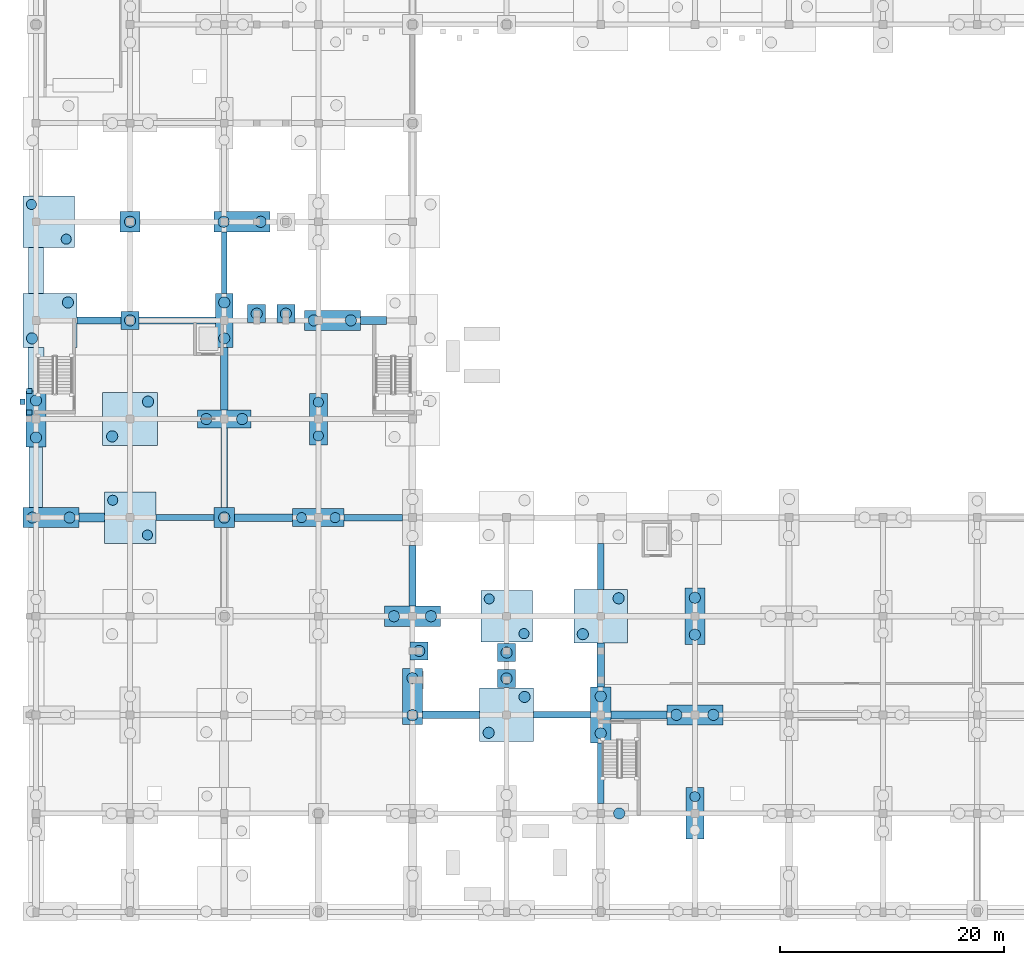
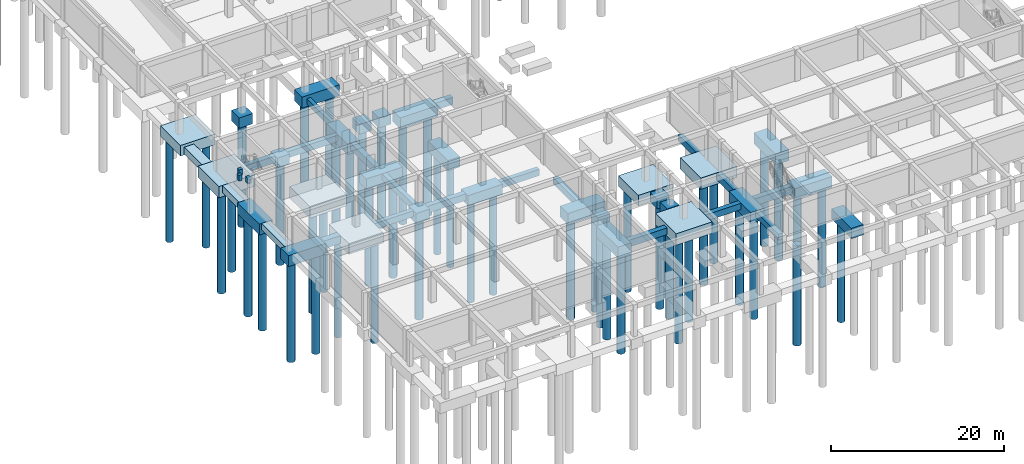
# One storey, part 2 of 41: 52 footings, 50 piles.
"""IFC4 building model written with IfcOpenShell, lengths in metres."""

from ifc_helpers import new_model, si_unit, direction, frame, origin, origin_2d, place, context, subcontext, project, spatial, rectangle, circle, extrude, material, material_profile, profile_set, type_object, element, save


model = new_model("IFC4")

# Units and contexts
model_context = context("Model", 3, precision=1e-05, world=origin(), true_north=direction((0.0, 1.0)))
body_context = subcontext(model_context, "Body", "Model", "MODEL_VIEW")
ifc_project = project(units=[si_unit("LENGTHUNIT", "METRE"), si_unit("AREAUNIT", "SQUARE_METRE"), si_unit("VOLUMEUNIT", "CUBIC_METRE"), si_unit("PLANEANGLEUNIT", "RADIAN"), si_unit("MASSUNIT", "GRAM", prefix="KILO")], contexts=[model_context])

# Site, building, storey
site_placement = place(None, origin())
site = spatial("IfcSite", under=ifc_project, at=site_placement, CompositionType="ELEMENT")
building_placement = place(site_placement, origin())
building = spatial("IfcBuilding", under=site, at=building_placement, Name="Kemercrest Conservatory and Botanical Centre", CompositionType="ELEMENT")
storey_placement = place(building_placement, frame((0.0, 0.0, -4.5)))
storey = spatial("IfcBuildingStorey", under=building, at=storey_placement, Name="B1", CompositionType="ELEMENT", Elevation=-4.5)

# Piles
ifc_material = material(Name="Concrete C40/50", Category="concrete")
ifc_material_profile_1 = material_profile(ifc_material, circle(Radius=0.5, at=origin_2d()), Name="BORED PILE 1000")
ifc_profile_set_1 = profile_set([ifc_material_profile_1], Name="Concrete C40/50")
pile_type_1 = type_object("IfcPileType", Name="BP-01", PredefinedType="BORED", material=ifc_profile_set_1)
for number, where, z_axis, x_axis, name in (
    (1, (7.699951171875, 43.199951171875, -1.860107421875), (0.0, 0.0, -1.0), (1.0, 0.0, 0.0), "Bored pile BP-01 #24"),
    (2, (11.0, 43.199951171875, -1.860107421875), (0.0, 0.0, -1.0), (1.0, 0.0, 0.0), "Bored pile BP-01 #25"),
    (3, (8.0, 50.35009765625, -1.860107421875), (0.0, 0.0, -1.0), (1.0, 0.0, 0.0), "Bored pile BP-01 #26"),
    (4, (8.0, 53.64990234375, -1.860107421875), (0.0, 0.0, -1.0), (1.0, 0.0, 0.0), "Bored pile BP-01 #27"),
):
    element("IfcPile", number, at=place(storey_placement, frame(where, z_axis=z_axis, x_axis=x_axis)), inside=storey, type_object=pile_type_1, Name=name, PredefinedType="BORED", context=body_context, shape_type="SweptSolid", body=[
        extrude(circle(Radius=0.5, at=origin_2d()), origin(), (0.0, 0.0, 1.0), 14.139892578125),
    ])
for number, where, z_axis, x_axis, name in (
    (5, (7.64990234375, 59.199951171875, -1.909912109375), (0.0, 0.0, -1.0), (1.0, 0.0, 0.0), "Bored pile BP-01 #28"),
    (6, (10.85009765625, 62.39990234375, -1.909912109375), (0.0, 0.0, -1.0), (1.0, 0.0, 0.0), "Bored pile BP-01 #29"),
):
    element("IfcPile", number, at=place(storey_placement, frame(where, z_axis=z_axis, x_axis=x_axis)), inside=storey, type_object=pile_type_1, Name=name, PredefinedType="BORED", context=body_context, shape_type="SweptSolid", body=[
        extrude(circle(Radius=0.5, at=origin_2d()), origin(), (0.0, 0.0, 1.0), 14.090087890625),
    ])
for number, where, z_axis, x_axis, name in (
    (7, (14.800048828125, 50.449951171875, -1.9599609375), (0.0, 0.0, -1.0), (1.0, 0.0, 0.0), "Bored pile BP-01 #52"),
    (8, (18.0, 53.550048828125, -1.9599609375), (0.0, 0.0, -1.0), (1.0, 0.0, 0.0), "Bored pile BP-01 #53"),
):
    element("IfcPile", number, at=place(storey_placement, frame(where, z_axis=z_axis, x_axis=x_axis)), inside=storey, type_object=pile_type_1, Name=name, PredefinedType="BORED", context=body_context, shape_type="SweptSolid", body=[
        extrude(circle(Radius=0.5, at=origin_2d()), origin(), (0.0, 0.0, 1.0), 14.0400390625),
    ])
pile_1_placement = place(storey_placement, frame((16.39990234375, 60.800048828125, -1.7099609375), z_axis=(0.0, 0.0, -1.0), x_axis=(1.0, 0.0, 0.0)))
element("IfcPile", 9, at=pile_1_placement, inside=storey, type_object=pile_type_1, Name="Bored pile BP-01 #54", PredefinedType="BORED", context=body_context, shape_type="SweptSolid", body=[
    extrude(circle(Radius=0.5, at=origin_2d()), origin(), (0.0, 0.0, 1.0), 14.2900390625),
])
pile_2_placement = place(storey_placement, frame((16.39990234375, 69.60009765625, -1.35009765625), z_axis=(0.0, 0.0, -1.0), x_axis=(1.0, 0.0, 0.0)))
element("IfcPile", 10, at=pile_2_placement, inside=storey, type_object=pile_type_1, Name="Bored pile BP-01 #55", PredefinedType="BORED", context=body_context, shape_type="SweptSolid", body=[
    extrude(circle(Radius=0.5, at=origin_2d()), origin(), (0.0, 0.0, 1.0), 14.64990234375),
])
pile_3_placement = place(storey_placement, frame((24.800048828125, 43.199951171875, -1.760009765625), z_axis=(0.0, 0.0, -1.0), x_axis=(1.0, 0.0, 0.0)))
element("IfcPile", 11, at=pile_3_placement, inside=storey, type_object=pile_type_1, Name="Bored pile BP-01 #75", PredefinedType="BORED", context=body_context, shape_type="SweptSolid", body=[
    extrude(circle(Radius=0.5, at=origin_2d()), origin(), (0.0, 0.0, 1.0), 14.239990234375),
])
for number, where, z_axis, x_axis, name in (
    (12, (23.199951171875, 52.0, -1.81005859375), (0.0, 0.0, -1.0), (1.0, 0.0, 0.0), "Bored pile BP-01 #76"),
    (13, (26.39990234375, 52.0, -1.81005859375), (0.0, 0.0, -1.0), (1.0, 0.0, 0.0), "Bored pile BP-01 #77"),
    (14, (24.800048828125, 59.199951171875, -1.81005859375), (0.0, 0.0, -1.0), (1.0, 0.0, 0.0), "Bored pile BP-01 #78"),
    (15, (24.800048828125, 62.39990234375, -1.81005859375), (0.0, 0.0, -1.0), (1.0, 0.0, 0.0), "Bored pile BP-01 #79"),
):
    element("IfcPile", number, at=place(storey_placement, frame(where, z_axis=z_axis, x_axis=x_axis)), inside=storey, type_object=pile_type_1, Name=name, PredefinedType="BORED", context=body_context, shape_type="SweptSolid", body=[
        extrude(circle(Radius=0.5, at=origin_2d()), origin(), (0.0, 0.0, 1.0), 14.18994140625),
    ])
for number, where, z_axis, x_axis, name in (
    (16, (24.75, 69.60009765625, -1.449951171875), (0.0, 0.0, -1.0), (1.0, 0.0, 0.0), "Bored pile BP-01 #80"),
    (17, (28.050048828125, 69.60009765625, -1.449951171875), (0.0, 0.0, -1.0), (1.0, 0.0, 0.0), "Bored pile BP-01 #81"),
):
    element("IfcPile", number, at=place(storey_placement, frame(where, z_axis=z_axis, x_axis=x_axis)), inside=storey, type_object=pile_type_1, Name=name, PredefinedType="BORED", context=body_context, shape_type="SweptSolid", body=[
        extrude(circle(Radius=0.5, at=origin_2d()), origin(), (0.0, 0.0, 1.0), 14.550048828125),
    ])
for number, where, z_axis, x_axis, name in (
    (18, (32.800048828125, 60.800048828125, -1.860107421875), (0.0, 0.0, -1.0), (1.0, 0.0, 0.0), "Bored pile BP-01 #104"),
    (19, (36.10009765625, 60.800048828125, -1.860107421875), (0.0, 0.0, -1.0), (1.0, 0.0, 0.0), "Bored pile BP-01 #105"),
    (20, (41.60009765625, 25.570068359375, -1.860107421875), (0.0, 0.0, -1.0), (1.0, 0.0, 0.0), "Bored pile BP-01 #122"),
    (21, (41.60009765625, 28.8701171875, -1.860107421875), (0.0, 0.0, -1.0), (1.0, 0.0, 0.0), "Bored pile BP-01 #123"),
    (22, (39.949951171875, 34.39990234375, -1.860107421875), (0.0, 0.0, -1.0), (1.0, 0.0, 0.0), "Bored pile BP-01 #124"),
    (23, (43.25, 34.39990234375, -1.860107421875), (0.0, 0.0, -1.0), (1.0, 0.0, 0.0), "Bored pile BP-01 #125"),
):
    element("IfcPile", number, at=place(storey_placement, frame(where, z_axis=z_axis, x_axis=x_axis)), inside=storey, type_object=pile_type_1, Name=name, PredefinedType="BORED", context=body_context, shape_type="SweptSolid", body=[
        extrude(circle(Radius=0.5, at=origin_2d()), origin(), (0.0, 0.0, 1.0), 14.139892578125),
    ])
for number, where, z_axis, x_axis, name in (
    (24, (48.39990234375, 24.0, -1.5), (0.0, 0.0, -1.0), (1.0, 0.0, 0.0), "Bored pile BP-01 #148"),
    (25, (51.60009765625, 27.199951171875, -1.5), (0.0, 0.0, -1.0), (1.0, 0.0, 0.0), "Bored pile BP-01 #149"),
):
    element("IfcPile", number, at=place(storey_placement, frame(where, z_axis=z_axis, x_axis=x_axis)), inside=storey, type_object=pile_type_1, Name=name, PredefinedType="BORED", context=body_context, shape_type="SweptSolid", body=[
        extrude(circle(Radius=0.5, at=origin_2d()), origin(), (0.0, 0.0, 1.0), 14.5),
    ])
for number, where, z_axis, x_axis, name in (
    (26, (60.050048828125, 16.800048828125, -1.860107421875), (0.0, 0.0, -1.0), (1.0, 0.0, 0.0), "Bored pile BP-01 #165"),
    (27, (58.39990234375, 23.949951171875, -1.860107421875), (0.0, 0.0, -1.0), (1.0, 0.0, 0.0), "Bored pile BP-01 #166"),
    (28, (58.39990234375, 27.25, -1.860107421875), (0.0, 0.0, -1.0), (1.0, 0.0, 0.0), "Bored pile BP-01 #167"),
):
    element("IfcPile", number, at=place(storey_placement, frame(where, z_axis=z_axis, x_axis=x_axis)), inside=storey, type_object=pile_type_1, Name=name, PredefinedType="BORED", context=body_context, shape_type="SweptSolid", body=[
        extrude(circle(Radius=0.5, at=origin_2d()), origin(), (0.0, 0.0, 1.0), 14.139892578125),
    ])
for number, where, z_axis, x_axis, name in (
    (29, (56.800048828125, 32.800048828125, -1.909912109375), (0.0, 0.0, -1.0), (1.0, 0.0, 0.0), "Bored pile BP-01 #168"),
    (30, (60.0, 36.0, -1.909912109375), (0.0, 0.0, -1.0), (1.0, 0.0, 0.0), "Bored pile BP-01 #169"),
):
    element("IfcPile", number, at=place(storey_placement, frame(where, z_axis=z_axis, x_axis=x_axis)), inside=storey, type_object=pile_type_1, Name=name, PredefinedType="BORED", context=body_context, shape_type="SweptSolid", body=[
        extrude(circle(Radius=0.5, at=origin_2d()), origin(), (0.0, 0.0, 1.0), 14.090087890625),
    ])
for number, where, z_axis, x_axis, name in (
    (31, (65.14990234375, 25.60009765625, -1.860107421875), (0.0, 0.0, -1.0), (1.0, 0.0, 0.0), "Bored pile BP-01 #184"),
    (32, (68.449951171875, 25.60009765625, -1.860107421875), (0.0, 0.0, -1.0), (1.0, 0.0, 0.0), "Bored pile BP-01 #185"),
    (33, (66.800048828125, 32.75, -1.860107421875), (0.0, 0.0, -1.0), (1.0, 0.0, 0.0), "Bored pile BP-01 #186"),
    (34, (66.800048828125, 36.050048828125, -1.860107421875), (0.0, 0.0, -1.0), (1.0, 0.0, 0.0), "Bored pile BP-01 #187"),
):
    element("IfcPile", number, at=place(storey_placement, frame(where, z_axis=z_axis, x_axis=x_axis)), inside=storey, type_object=pile_type_1, Name=name, PredefinedType="BORED", context=body_context, shape_type="SweptSolid", body=[
        extrude(circle(Radius=0.5, at=origin_2d()), origin(), (0.0, 0.0, 1.0), 14.139892578125),
    ])
for number, where, z_axis, x_axis, name in (
    (35, (42.199951171875, 31.300048828125, -1.300048828125), (0.0, 0.0, -1.0), (1.0, 0.0, 0.0), "Bored pile BP-01 #538"),
    (36, (50.0, 28.85009765625, -1.300048828125), (0.0, 0.0, -1.0), (1.0, 0.0, 0.0), "Bored pile BP-01 #539"),
    (37, (50.0, 31.14990234375, -1.300048828125), (0.0, 0.0, -1.0), (1.0, 0.0, 0.0), "Bored pile BP-01 #540"),
    (38, (27.699951171875, 61.39990234375, -1.300048828125), (0.0, 0.0, -1.0), (1.0, 0.0, 0.0), "Bored pile BP-01 #541"),
    (39, (30.300048828125, 61.39990234375, -1.300048828125), (0.0, 0.0, -1.0), (1.0, 0.0, 0.0), "Bored pile BP-01 #542"),
):
    element("IfcPile", number, at=place(storey_placement, frame(where, z_axis=z_axis, x_axis=x_axis)), inside=storey, type_object=pile_type_1, Name=name, PredefinedType="BORED", context=body_context, shape_type="SweptSolid", body=[
        extrude(circle(Radius=0.5, at=origin_2d()), origin(), (0.0, 0.0, 1.0), 14.699951171875),
    ])
ifc_material_profile_2 = material_profile(ifc_material, circle(Radius=0.449951171875, at=origin_2d()), Name="BORED PILE 900")
ifc_profile_set_2 = profile_set([ifc_material_profile_2], Name="Concrete C40/50")
pile_type_2 = type_object("IfcPileType", Name="BP-02", PredefinedType="BORED", material=ifc_profile_set_2)
for number, where, z_axis, x_axis, name in (
    (40, (7.60009765625, 71.14990234375, -1.39990234375), (0.0, 0.0, -1.0), (1.0, 0.0, 0.0), "Bored pile BP-02 #30"),
    (41, (10.699951171875, 68.050048828125, -1.39990234375), (0.0, 0.0, -1.0), (1.0, 0.0, 0.0), "Bored pile BP-02 #31"),
):
    element("IfcPile", number, at=place(storey_placement, frame(where, z_axis=z_axis, x_axis=x_axis)), inside=storey, type_object=pile_type_2, Name=name, PredefinedType="BORED", context=body_context, shape_type="SweptSolid", body=[
        extrude(circle(Radius=0.449951171875, at=origin_2d()), origin(), (0.0, 0.0, 1.0), 14.60009765625),
    ])
for number, where, z_axis, x_axis, name in (
    (42, (14.85009765625, 44.75, -1.81005859375), (0.0, 0.0, -1.0), (1.0, 0.0, 0.0), "Bored pile BP-02 #50"),
    (43, (17.949951171875, 41.64990234375, -1.81005859375), (0.0, 0.0, -1.0), (1.0, 0.0, 0.0), "Bored pile BP-02 #51"),
):
    element("IfcPile", number, at=place(storey_placement, frame(where, z_axis=z_axis, x_axis=x_axis)), inside=storey, type_object=pile_type_2, Name=name, PredefinedType="BORED", context=body_context, shape_type="SweptSolid", body=[
        extrude(circle(Radius=0.449951171875, at=origin_2d()), origin(), (0.0, 0.0, 1.0), 14.18994140625),
    ])
for number, where, z_axis, x_axis, name in (
    (44, (31.699951171875, 43.199951171875, -1.760009765625), (0.0, 0.0, -1.0), (1.0, 0.0, 0.0), "Bored pile BP-02 #100"),
    (45, (34.699951171875, 43.199951171875, -1.760009765625), (0.0, 0.0, -1.0), (1.0, 0.0, 0.0), "Bored pile BP-02 #101"),
    (46, (33.199951171875, 50.5, -1.760009765625), (0.0, 0.0, -1.0), (1.0, 0.0, 0.0), "Bored pile BP-02 #102"),
    (47, (33.199951171875, 53.5, -1.760009765625), (0.0, 0.0, -1.0), (1.0, 0.0, 0.0), "Bored pile BP-02 #103"),
):
    element("IfcPile", number, at=place(storey_placement, frame(where, z_axis=z_axis, x_axis=x_axis)), inside=storey, type_object=pile_type_2, Name=name, PredefinedType="BORED", context=body_context, shape_type="SweptSolid", body=[
        extrude(circle(Radius=0.449951171875, at=origin_2d()), origin(), (0.0, 0.0, 1.0), 14.239990234375),
    ])
for number, where, z_axis, x_axis, name in (
    (48, (48.449951171875, 35.949951171875, -1.39990234375), (0.0, 0.0, -1.0), (1.0, 0.0, 0.0), "Bored pile BP-02 #150"),
    (49, (51.550048828125, 32.85009765625, -1.39990234375), (0.0, 0.0, -1.0), (1.0, 0.0, 0.0), "Bored pile BP-02 #151"),
):
    element("IfcPile", number, at=place(storey_placement, frame(where, z_axis=z_axis, x_axis=x_axis)), inside=storey, type_object=pile_type_2, Name=name, PredefinedType="BORED", context=body_context, shape_type="SweptSolid", body=[
        extrude(circle(Radius=0.449951171875, at=origin_2d()), origin(), (0.0, 0.0, 1.0), 14.60009765625),
    ])
pile_4_placement = place(storey_placement, frame((66.800048828125, 18.300048828125, -1.760009765625), z_axis=(0.0, 0.0, -1.0), x_axis=(1.0, 0.0, 0.0)))
element("IfcPile", 50, at=pile_4_placement, inside=storey, type_object=pile_type_2, Name="Bored pile BP-02 #183", PredefinedType="BORED", context=body_context, shape_type="SweptSolid", body=[
    extrude(circle(Radius=0.449951171875, at=origin_2d()), origin(), (0.0, 0.0, 1.0), 14.239990234375),
])

# Footings
footing_type_1 = type_object("IfcFootingType", Name="FB-01", PredefinedType="FOOTING_BEAM", material=ifc_material)
footing_1_placement = place(storey_placement, frame((54.949951171875, 25.60009765625, -1.31005859375), z_axis=(0.0, 0.0, 1.0), x_axis=(1.0, 0.0, 0.0)))
element("IfcFooting", 51, at=footing_1_placement, inside=storey, type_object=footing_type_1, Name="Seismic tie footing beam FB-01", PredefinedType="FOOTING_BEAM", context=body_context, shape_type="SweptSolid", body=[
    extrude(rectangle(XDim=5.10009765625, YDim=0.60009765625, at=origin_2d()), origin(), (0.0, 0.0, 1.0), 0.89990234375),
])
footing_2_placement = place(storey_placement, frame((38.10009765625, 43.199951171875, -1.31005859375), z_axis=(0.0, 0.0, 1.0), x_axis=(1.0, 0.0, 0.0)))
element("IfcFooting", 52, at=footing_2_placement, inside=storey, type_object=footing_type_1, Name="Seismic tie footing beam FB-01", PredefinedType="FOOTING_BEAM", context=body_context, shape_type="SweptSolid", body=[
    extrude(rectangle(XDim=5.199951171875, YDim=0.60009765625, at=origin_2d()), origin(), (0.0, 0.0, 1.0), 0.89990234375),
])
footing_3_placement = place(storey_placement, frame((20.60009765625, 60.800048828125, -1.31005859375), z_axis=(0.0, 0.0, 1.0), x_axis=(1.0, 0.0, 0.0)))
element("IfcFooting", 53, at=footing_3_placement, inside=storey, type_object=footing_type_1, Name="Seismic tie footing beam FB-01", PredefinedType="FOOTING_BEAM", context=body_context, shape_type="SweptSolid", body=[
    extrude(rectangle(XDim=6.800048828125, YDim=0.60009765625, at=origin_2d()), origin(), (0.0, 0.0, 1.0), 0.89990234375),
])
footing_4_placement = place(storey_placement, frame((24.800048828125, 47.64990234375, -1.31005859375), z_axis=(0.0, 0.0, 1.0), x_axis=(1.0, 0.0, 0.0)))
element("IfcFooting", 54, at=footing_4_placement, inside=storey, type_object=footing_type_1, Name="Seismic tie footing beam FB-01", PredefinedType="FOOTING_BEAM", context=body_context, shape_type="SweptSolid", body=[
    extrude(rectangle(XDim=0.60009765625, YDim=7.10009765625, at=origin_2d()), origin(), (0.0, 0.0, 1.0), 0.89990234375),
])
footing_5_placement = place(storey_placement, frame((58.39990234375, 38.85009765625, -1.31005859375), z_axis=(0.0, 0.0, 1.0), x_axis=(1.0, 0.0, 0.0)))
element("IfcFooting", 55, at=footing_5_placement, inside=storey, type_object=footing_type_1, Name="Seismic tie footing beam FB-01", PredefinedType="FOOTING_BEAM", context=body_context, shape_type="SweptSolid", body=[
    extrude(rectangle(XDim=0.60009765625, YDim=4.10009765625, at=origin_2d()), origin(), (0.0, 0.0, 1.0), 0.89990234375),
])
footing_type_2 = type_object("IfcFootingType", Name="FB-02", PredefinedType="FOOTING_BEAM", material=ifc_material)
footing_6_placement = place(storey_placement, frame((61.800048828125, 25.60009765625, -1.409912109375), z_axis=(0.0, 0.0, 1.0), x_axis=(1.0, 0.0, 0.0)))
element("IfcFooting", 56, at=footing_6_placement, inside=storey, type_object=footing_type_2, Name="Seismic tie footing beam FB-02", PredefinedType="FOOTING_BEAM", context=body_context, shape_type="SweptSolid", body=[
    extrude(rectangle(XDim=5.0, YDim=0.699951171875, at=origin_2d()), origin(), (0.0, 0.0, 1.0), 1.0),
])
footing_7_placement = place(storey_placement, frame((38.125, 60.800048828125, -1.409912109375), z_axis=(0.0, 0.0, 1.0), x_axis=(1.0, 0.0, 0.0)))
element("IfcFooting", 57, at=footing_7_placement, inside=storey, type_object=footing_type_2, Name="Seismic tie footing beam FB-02", PredefinedType="FOOTING_BEAM", context=body_context, shape_type="SweptSolid", body=[
    extrude(rectangle(XDim=2.35009765625, YDim=0.699951171875, at=origin_2d()), origin(), (0.0, 0.0, 1.0), 1.0),
])
footing_8_placement = place(storey_placement, frame((24.800048828125, 55.60009765625, -1.409912109375), z_axis=(0.0, 0.0, 1.0), x_axis=(1.0, 0.0, 0.0)))
element("IfcFooting", 58, at=footing_8_placement, inside=storey, type_object=footing_type_2, Name="Seismic tie footing beam FB-02", PredefinedType="FOOTING_BEAM", context=body_context, shape_type="SweptSolid", body=[
    extrude(rectangle(XDim=0.699951171875, YDim=5.60009765625, at=origin_2d()), origin(), (0.0, 0.0, 1.0), 1.0),
])
footing_type_3 = type_object("IfcFootingType", Name="FB-03", PredefinedType="FOOTING_BEAM", material=ifc_material)
footing_9_placement = place(storey_placement, frame((24.800048828125, 65.949951171875, -1.2099609375), z_axis=(0.0, 0.0, 1.0), x_axis=(1.0, 0.0, 0.0)))
element("IfcFooting", 59, at=footing_9_placement, inside=storey, type_object=footing_type_3, Name="Seismic tie footing beam FB-03", PredefinedType="FOOTING_BEAM", context=body_context, shape_type="SweptSolid", body=[
    extrude(rectangle(XDim=0.5, YDim=5.5, at=origin_2d()), origin(), (0.0, 0.0, 1.0), 0.800048828125),
])
footing_type_4 = type_object("IfcFootingType", Name="FB-04", PredefinedType="FOOTING_BEAM", material=ifc_material)
footing_10_placement = place(storey_placement, frame((12.97509765625, 43.199951171875, -1.510009765625), z_axis=(0.0, 0.0, 1.0), x_axis=(1.0, 0.0, 0.0)))
element("IfcFooting", 60, at=footing_10_placement, inside=storey, type_object=footing_type_4, Name="Seismic tie footing beam FB-04", PredefinedType="FOOTING_BEAM", context=body_context, shape_type="SweptSolid", body=[
    extrude(rectangle(XDim=2.25, YDim=0.800048828125, at=origin_2d()), origin(), (0.0, 0.0, 1.0), 1.10009765625),
])
footing_type_5 = type_object("IfcFootingType", Name="FB-05", PredefinedType="FOOTING_BEAM", material=ifc_material)
footing_11_placement = place(storey_placement, frame((21.300048828125, 43.199951171875, -1.260009765625), z_axis=(0.0, 0.0, 1.0), x_axis=(1.0, 0.0, 0.0)))
element("IfcFooting", 61, at=footing_11_placement, inside=storey, type_object=footing_type_5, Name="Seismic tie footing beam FB-05", PredefinedType="FOOTING_BEAM", context=body_context, shape_type="SweptSolid", body=[
    extrude(rectangle(XDim=5.199951171875, YDim=0.550048828125, at=origin_2d()), origin(), (0.0, 0.0, 1.0), 0.85009765625),
])
footing_12_placement = place(storey_placement, frame((58.39990234375, 20.39990234375, -1.260009765625), z_axis=(0.0, 0.0, 1.0), x_axis=(1.0, 0.0, 0.0)))
element("IfcFooting", 62, at=footing_12_placement, inside=storey, type_object=footing_type_5, Name="Seismic tie footing beam FB-05", PredefinedType="FOOTING_BEAM", context=body_context, shape_type="SweptSolid", body=[
    extrude(rectangle(XDim=0.550048828125, YDim=5.39990234375, at=origin_2d()), origin(), (0.0, 0.0, 1.0), 0.85009765625),
])
footing_type_6 = type_object("IfcFootingType", Name="FB-06", PredefinedType="FOOTING_BEAM", material=ifc_material)
footing_13_placement = place(storey_placement, frame((45.050048828125, 25.60009765625, -1.35986328125), z_axis=(0.0, 0.0, 1.0), x_axis=(1.0, 0.0, 0.0)))
element("IfcFooting", 63, at=footing_13_placement, inside=storey, type_object=footing_type_6, Name="Seismic tie footing beam FB-06", PredefinedType="FOOTING_BEAM", context=body_context, shape_type="SweptSolid", body=[
    extrude(rectangle(XDim=5.10009765625, YDim=0.64990234375, at=origin_2d()), origin(), (0.0, 0.0, 1.0), 0.949951171875),
])
footing_14_placement = place(storey_placement, frame((28.300048828125, 43.199951171875, -1.35986328125), z_axis=(0.0, 0.0, 1.0), x_axis=(1.0, 0.0, 0.0)))
element("IfcFooting", 64, at=footing_14_placement, inside=storey, type_object=footing_type_6, Name="Seismic tie footing beam FB-06", PredefinedType="FOOTING_BEAM", context=body_context, shape_type="SweptSolid", body=[
    extrude(rectangle(XDim=5.199951171875, YDim=0.64990234375, at=origin_2d()), origin(), (0.0, 0.0, 1.0), 0.949951171875),
])
footing_15_placement = place(storey_placement, frame((13.625, 60.800048828125, -1.35986328125), z_axis=(0.0, 0.0, 1.0), x_axis=(1.0, 0.0, 0.0)))
element("IfcFooting", 65, at=footing_15_placement, inside=storey, type_object=footing_type_6, Name="Seismic tie footing beam FB-06", PredefinedType="FOOTING_BEAM", context=body_context, shape_type="SweptSolid", body=[
    extrude(rectangle(XDim=3.949951171875, YDim=0.64990234375, at=origin_2d()), origin(), (0.0, 0.0, 1.0), 0.949951171875),
])
footing_16_placement = place(storey_placement, frame((41.60009765625, 38.0, -1.35986328125), z_axis=(0.0, 0.0, 1.0), x_axis=(1.0, 0.0, 0.0)))
element("IfcFooting", 66, at=footing_16_placement, inside=storey, type_object=footing_type_6, Name="Seismic tie footing beam FB-06", PredefinedType="FOOTING_BEAM", context=body_context, shape_type="SweptSolid", body=[
    extrude(rectangle(XDim=0.64990234375, YDim=5.39990234375, at=origin_2d()), origin(), (0.0, 0.0, 1.0), 0.949951171875),
])
footing_17_placement = place(storey_placement, frame((58.39990234375, 30.050048828125, -1.35986328125), z_axis=(0.0, 0.0, 1.0), x_axis=(1.0, 0.0, 0.0)))
element("IfcFooting", 67, at=footing_17_placement, inside=storey, type_object=footing_type_6, Name="Seismic tie footing beam FB-06", PredefinedType="FOOTING_BEAM", context=body_context, shape_type="SweptSolid", body=[
    extrude(rectangle(XDim=0.64990234375, YDim=3.89990234375, at=origin_2d()), origin(), (0.0, 0.0, 1.0), 0.949951171875),
])
footing_type_7 = type_object("IfcFootingType", Name="PC-01", PredefinedType="PILE_CAP", material=ifc_material)
for number, where, z_axis, x_axis, name in (
    (68, (16.39990234375, 60.800048828125, -1.81005859375), (0.0, 0.0, 1.0), (1.0, 0.0, 0.0), "Pile cap PC-01 at (16.4, 60.8)"),
    (69, (42.199951171875, 31.300048828125, -1.39990234375), (0.0, 0.0, 1.0), (1.0, 0.0, 0.0), "Pile cap PC-01 at (42.2, 31.3)"),
    (70, (50.0, 28.85009765625, -1.39990234375), (0.0, 0.0, 1.0), (1.0, 0.0, 0.0), "Pile cap PC-01 at (50.0, 28.9)"),
    (71, (50.0, 31.14990234375, -1.39990234375), (0.0, 0.0, 1.0), (1.0, 0.0, 0.0), "Pile cap PC-01 at (50.0, 31.1)"),
    (72, (27.699951171875, 61.39990234375, -1.39990234375), (0.0, 0.0, 1.0), (1.0, 0.0, 0.0), "Pile cap PC-01 at (27.7, 61.4)"),
    (73, (30.300048828125, 61.39990234375, -1.39990234375), (0.0, 0.0, 1.0), (1.0, 0.0, 0.0), "Pile cap PC-01 at (30.3, 61.4)"),
):
    element("IfcFooting", number, at=place(storey_placement, frame(where, z_axis=z_axis, x_axis=x_axis)), inside=storey, type_object=footing_type_7, Name=name, PredefinedType="PILE_CAP", context=body_context, shape_type="SweptSolid", body=[
        extrude(rectangle(XDim=1.60009765625, YDim=1.60009765625, at=origin_2d()), origin(), (0.0, 0.0, 1.0), 1.39990234375),
    ])
footing_type_8 = type_object("IfcFootingType", Name="PC-02", PredefinedType="PILE_CAP", material=ifc_material)
footing_18_placement = place(storey_placement, frame((24.800048828125, 52.0, -1.909912109375), z_axis=(0.0, 0.0, 1.0), x_axis=(1.0, 0.0, 0.0)))
element("IfcFooting", 74, at=footing_18_placement, inside=storey, type_object=footing_type_8, Name="Pile cap PC-02 at (24.8, 52.0)", PredefinedType="PILE_CAP", context=body_context, shape_type="SweptSolid", body=[
    extrude(rectangle(XDim=4.800048828125, YDim=1.60009765625, at=origin_2d()), origin(), (0.0, 0.0, 1.0), 1.5),
])
footing_type_9 = type_object("IfcFootingType", Name="PC-03", PredefinedType="PILE_CAP", material=ifc_material)
footing_19_placement = place(storey_placement, frame((24.800048828125, 60.800048828125, -1.909912109375), z_axis=(0.0, 0.0, 1.0), x_axis=(1.0, 0.0, 0.0)))
element("IfcFooting", 75, at=footing_19_placement, inside=storey, type_object=footing_type_9, Name="Pile cap PC-03 at (24.8, 60.8)", PredefinedType="PILE_CAP", context=body_context, shape_type="SweptSolid", body=[
    extrude(rectangle(XDim=1.60009765625, YDim=4.800048828125, at=origin_2d()), origin(), (0.0, 0.0, 1.0), 1.5),
])
footing_type_10 = type_object("IfcFootingType", Name="PC-04", PredefinedType="PILE_CAP", material=ifc_material)
for number, where, z_axis, x_axis, name in (
    (76, (9.25, 60.800048828125, -2.010009765625), (0.0, 0.0, 1.0), (1.0, 0.0, 0.0), "Pile cap PC-04 at (9.2, 60.8)"),
    (77, (50.0, 25.60009765625, -1.60009765625), (0.0, 0.0, 1.0), (1.0, 0.0, 0.0), "Pile cap PC-04 at (50.0, 25.6)"),
    (78, (58.39990234375, 34.39990234375, -2.010009765625), (0.0, 0.0, 1.0), (1.0, 0.0, 0.0), "Pile cap PC-04 at (58.4, 34.4)"),
):
    element("IfcFooting", number, at=place(storey_placement, frame(where, z_axis=z_axis, x_axis=x_axis)), inside=storey, type_object=footing_type_10, Name=name, PredefinedType="PILE_CAP", context=body_context, shape_type="SweptSolid", body=[
        extrude(rectangle(XDim=4.800048828125, YDim=4.800048828125, at=origin_2d()), origin(), (0.0, 0.0, 1.0), 1.60009765625),
    ])
footing_type_11 = type_object("IfcFootingType", Name="PC-05", PredefinedType="PILE_CAP", material=ifc_material)
for number, where, z_axis, x_axis, name in (
    (79, (9.14990234375, 69.60009765625, -1.5), (0.0, 0.0, 1.0), (1.0, 0.0, 0.0), "Pile cap PC-05 at (9.2, 69.6)"),
    (80, (16.39990234375, 43.199951171875, -1.909912109375), (0.0, 0.0, 1.0), (1.0, 0.0, 0.0), "Pile cap PC-05 at (16.4, 43.2)"),
    (81, (50.0, 34.39990234375, -1.5), (0.0, 0.0, 1.0), (1.0, 0.0, 0.0), "Pile cap PC-05 at (50.0, 34.4)"),
):
    element("IfcFooting", number, at=place(storey_placement, frame(where, z_axis=z_axis, x_axis=x_axis)), inside=storey, type_object=footing_type_11, Name=name, PredefinedType="PILE_CAP", context=body_context, shape_type="SweptSolid", body=[
        extrude(rectangle(XDim=4.60009765625, YDim=4.60009765625, at=origin_2d()), origin(), (0.0, 0.0, 1.0), 1.5),
    ])
footing_type_12 = type_object("IfcFootingType", Name="PC-08", PredefinedType="PILE_CAP", material=ifc_material)
footing_20_placement = place(storey_placement, frame((33.199951171875, 43.199951171875, -1.85986328125), z_axis=(0.0, 0.0, 1.0), x_axis=(1.0, 0.0, 0.0)))
element("IfcFooting", 82, at=footing_20_placement, inside=storey, type_object=footing_type_12, Name="Pile cap PC-08 at (33.2, 43.2)", PredefinedType="PILE_CAP", context=body_context, shape_type="SweptSolid", body=[
    extrude(rectangle(XDim=4.60009765625, YDim=1.60009765625, at=origin_2d()), origin(), (0.0, 0.0, 1.0), 1.449951171875),
])
footing_type_13 = type_object("IfcFootingType", Name="PC-09", PredefinedType="PILE_CAP", material=ifc_material)
for number, where, z_axis, x_axis, name in (
    (83, (33.199951171875, 52.0, -1.85986328125), (0.0, 0.0, 1.0), (1.0, 0.0, 0.0), "Pile cap PC-09 at (33.2, 52.0)"),
    (84, (66.800048828125, 16.800048828125, -1.85986328125), (0.0, 0.0, 1.0), (1.0, 0.0, 0.0), "Pile cap PC-09 at (66.8, 16.8)"),
):
    element("IfcFooting", number, at=place(storey_placement, frame(where, z_axis=z_axis, x_axis=x_axis)), inside=storey, type_object=footing_type_13, Name=name, PredefinedType="PILE_CAP", context=body_context, shape_type="SweptSolid", body=[
        extrude(rectangle(XDim=1.60009765625, YDim=4.60009765625, at=origin_2d()), origin(), (0.0, 0.0, 1.0), 1.449951171875),
    ])
footing_type_14 = type_object("IfcFootingType", Name="PC-12", PredefinedType="PILE_CAP", material=ifc_material)
for number, where, z_axis, x_axis, name in (
    (85, (16.39990234375, 69.60009765625, -1.4501953125), (0.0, 0.0, 1.0), (1.0, 0.0, 0.0), "Pile cap PC-12 at (16.4, 69.6)"),
    (86, (24.800048828125, 43.199951171875, -1.85986328125), (0.0, 0.0, 1.0), (1.0, 0.0, 0.0), "Pile cap PC-12 at (24.8, 43.2)"),
):
    element("IfcFooting", number, at=place(storey_placement, frame(where, z_axis=z_axis, x_axis=x_axis)), inside=storey, type_object=footing_type_14, Name=name, PredefinedType="PILE_CAP", context=body_context, shape_type="SweptSolid", body=[
        extrude(rectangle(XDim=1.800048828125, YDim=1.800048828125, at=origin_2d()), origin(), (0.0, 0.0, 1.0), 1.449951171875),
    ])
footing_type_15 = type_object("IfcFootingType", Name="PC-13", PredefinedType="PILE_CAP", material=ifc_material)
for number, where, z_axis, x_axis, name in (
    (87, (9.35009765625, 43.199951171875, -1.9599609375), (0.0, 0.0, 1.0), (1.0, 0.0, 0.0), "Pile cap PC-13 at (9.3, 43.2)"),
    (88, (26.39990234375, 69.60009765625, -1.5498046875), (0.0, 0.0, 1.0), (1.0, 0.0, 0.0), "Pile cap PC-13 at (26.4, 69.6)"),
    (89, (34.449951171875, 60.800048828125, -1.9599609375), (0.0, 0.0, 1.0), (1.0, 0.0, 0.0), "Pile cap PC-13 at (34.5, 60.8)"),
    (90, (41.60009765625, 34.39990234375, -1.9599609375), (0.0, 0.0, 1.0), (1.0, 0.0, 0.0), "Pile cap PC-13 at (41.6, 34.4)"),
    (91, (66.800048828125, 25.60009765625, -1.9599609375), (0.0, 0.0, 1.0), (1.0, 0.0, 0.0), "Pile cap PC-13 at (66.8, 25.6)"),
):
    element("IfcFooting", number, at=place(storey_placement, frame(where, z_axis=z_axis, x_axis=x_axis)), inside=storey, type_object=footing_type_15, Name=name, PredefinedType="PILE_CAP", context=body_context, shape_type="SweptSolid", body=[
        extrude(rectangle(XDim=5.0, YDim=1.800048828125, at=origin_2d()), origin(), (0.0, 0.0, 1.0), 1.550048828125),
    ])
footing_type_16 = type_object("IfcFootingType", Name="PC-14", PredefinedType="PILE_CAP", material=ifc_material)
for number, where, z_axis, x_axis, name in (
    (92, (8.0, 52.0, -1.9599609375), (0.0, 0.0, 1.0), (1.0, 0.0, 0.0), "Pile cap PC-14 at (8.0, 52.0)"),
    (93, (41.60009765625, 27.219970703125, -1.9599609375), (0.0, 0.0, 1.0), (1.0, 0.0, 0.0), "Pile cap PC-14 at (41.6, 27.2)"),
    (94, (58.39990234375, 25.60009765625, -1.9599609375), (0.0, 0.0, 1.0), (1.0, 0.0, 0.0), "Pile cap PC-14 at (58.4, 25.6)"),
    (95, (66.800048828125, 34.39990234375, -1.9599609375), (0.0, 0.0, 1.0), (1.0, 0.0, 0.0), "Pile cap PC-14 at (66.8, 34.4)"),
):
    element("IfcFooting", number, at=place(storey_placement, frame(where, z_axis=z_axis, x_axis=x_axis)), inside=storey, type_object=footing_type_16, Name=name, PredefinedType="PILE_CAP", context=body_context, shape_type="SweptSolid", body=[
        extrude(rectangle(XDim=1.800048828125, YDim=5.0, at=origin_2d()), origin(), (0.0, 0.0, 1.0), 1.550048828125),
    ])
footing_type_17 = type_object("IfcFootingType", Name="PC-16", PredefinedType="PILE_CAP", material=ifc_material)
footing_21_placement = place(storey_placement, frame((16.39990234375, 52.0, -2.06005859375), z_axis=(0.0, 0.0, 1.0), x_axis=(1.0, 0.0, 0.0)))
element("IfcFooting", 96, at=footing_21_placement, inside=storey, type_object=footing_type_17, Name="Pile cap PC-16 at (16.4, 52.0)", PredefinedType="PILE_CAP", context=body_context, shape_type="SweptSolid", body=[
    extrude(rectangle(XDim=4.89990234375, YDim=4.699951171875, at=origin_2d()), origin(), (0.0, 0.0, 1.0), 1.64990234375),
])
footing_type_18 = type_object("IfcFootingType", Name="PF-01", PredefinedType="PAD_FOOTING", material=ifc_material)
for number, where, z_axis, x_axis, name in (
    (97, (7.39990234375, 54.489990234375, 3.52001953125), (0.0, 0.0, 1.0), (0.0, -1.0, 0.0), "Threshold pad ED008 grade pad footing L"),
    (98, (7.39990234375, 52.590087890625, 3.52001953125), (0.0, 0.0, 1.0), (0.0, -1.0, 0.0), "Threshold pad ED008 grade pad footing R"),
    (99, (6.800048828125, 53.5400390625, 3.52001953125), (0.0, 0.0, 1.0), (0.0, -1.0, 0.0), "Threshold pad ED008 grade pad footing F"),
):
    element("IfcFooting", number, at=place(storey_placement, frame(where, z_axis=z_axis, x_axis=x_axis)), inside=storey, type_object=footing_type_18, Name=name, PredefinedType="PAD_FOOTING", context=body_context, shape_type="SweptSolid", body=[
        extrude(rectangle(XDim=0.449951171875, YDim=0.449951171875, at=origin_2d()), origin(), (0.0, 0.0, 1.0), 0.800048828125),
    ])
footing_type_19 = type_object("IfcFootingType", Name="SF-01", PredefinedType="STRIP_FOOTING", material=ifc_material)
footing_22_placement = place(storey_placement, frame((8.0, 46.800048828125, -1.31005859375), z_axis=(0.0, 0.0, 1.0), x_axis=(1.0, 0.0, 0.0)))
element("IfcFooting", 100, at=footing_22_placement, inside=storey, type_object=footing_type_19, Name="Perimeter strip footing SF-01", PredefinedType="STRIP_FOOTING", context=body_context, shape_type="SweptSolid", body=[
    extrude(rectangle(XDim=1.199951171875, YDim=5.39990234375, at=origin_2d()), origin(), (0.0, 0.0, 1.0), 0.89990234375),
])
footing_type_20 = type_object("IfcFootingType", Name="SF-02", PredefinedType="STRIP_FOOTING", material=ifc_material)
footing_23_placement = place(storey_placement, frame((8.0, 56.449951171875, -1.409912109375), z_axis=(0.0, 0.0, 1.0), x_axis=(1.0, 0.0, 0.0)))
element("IfcFooting", 101, at=footing_23_placement, inside=storey, type_object=footing_type_20, Name="Perimeter strip footing SF-02", PredefinedType="STRIP_FOOTING", context=body_context, shape_type="SweptSolid", body=[
    extrude(rectangle(XDim=1.39990234375, YDim=3.89990234375, at=origin_2d()), origin(), (0.0, 0.0, 1.0), 1.0),
])
footing_type_21 = type_object("IfcFootingType", Name="SF-03", PredefinedType="STRIP_FOOTING", material=ifc_material)
footing_24_placement = place(storey_placement, frame((8.0, 65.25, -1.35986328125), z_axis=(0.0, 0.0, 1.0), x_axis=(1.0, 0.0, 0.0)))
element("IfcFooting", 102, at=footing_24_placement, inside=storey, type_object=footing_type_21, Name="Perimeter strip footing SF-03", PredefinedType="STRIP_FOOTING", context=body_context, shape_type="SweptSolid", body=[
    extrude(rectangle(XDim=1.300048828125, YDim=4.10009765625, at=origin_2d()), origin(), (0.0, 0.0, 1.0), 0.949951171875),
])

save(model, "model.ifc")
